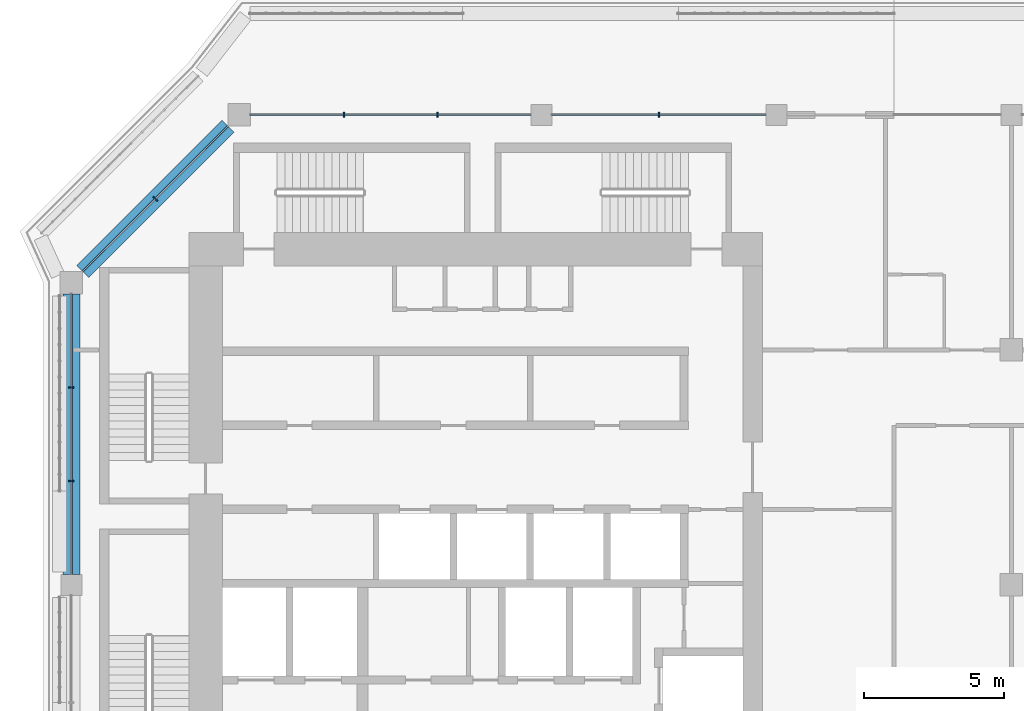
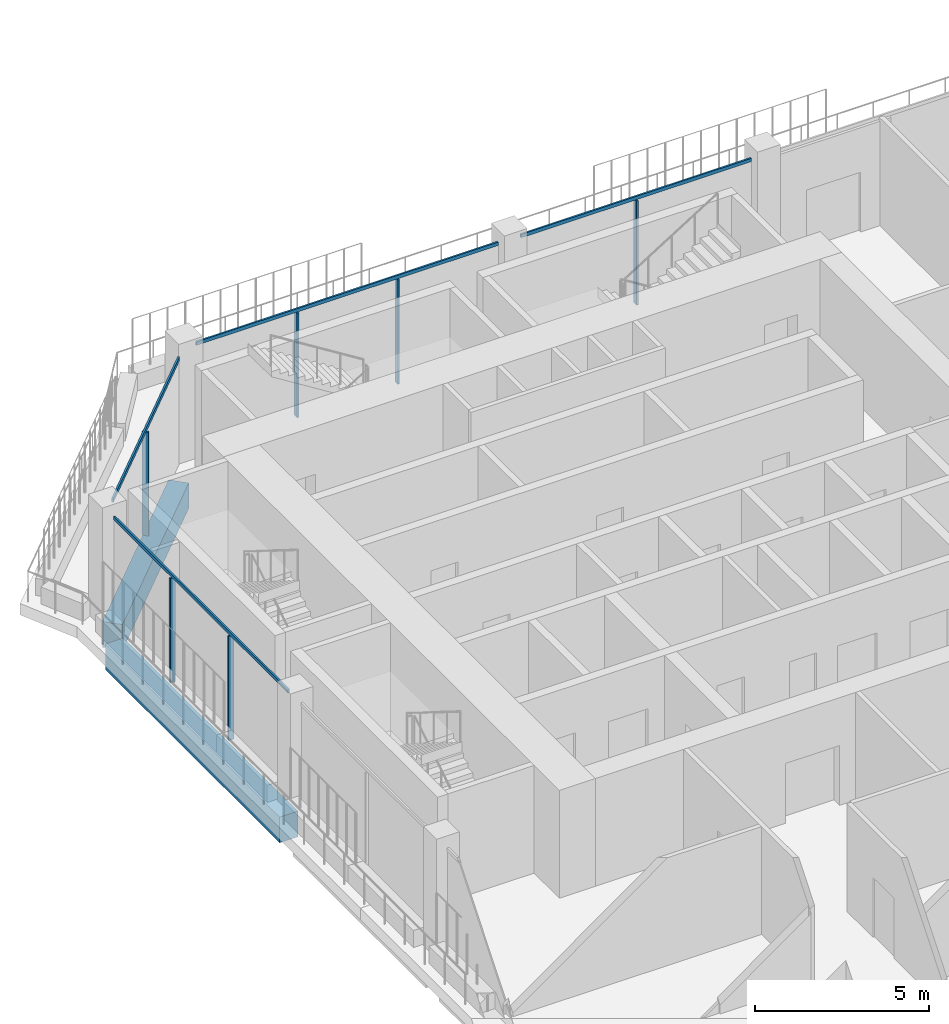
# One storey, part 5 of 20: 10 members, 2 beams, 3 elements without a shape of their own.
"""IFC4 building model written with IfcOpenShell, lengths in metres."""

from ifc_helpers import new_model, si_unit, direction, frame, origin, origin_2d, place, context, subcontext, project, spatial, rectangle, extrude, material, layer, layer_set, material_profile, profile_set, type_object, element, aggregate, save


model = new_model("IFC4")

# Units and contexts
model_context = context("Model", 3, precision=1e-05, world=origin(), true_north=direction((0.0, 1.0)))
body_context = subcontext(model_context, "Body", "Model", "MODEL_VIEW")
ifc_project = project(units=[si_unit("LENGTHUNIT", "METRE"), si_unit("AREAUNIT", "SQUARE_METRE"), si_unit("VOLUMEUNIT", "CUBIC_METRE"), si_unit("PLANEANGLEUNIT", "RADIAN"), si_unit("MASSUNIT", "GRAM", prefix="KILO")], contexts=[model_context])

# Site, building, storey
site_placement = place(None, origin())
site = spatial("IfcSite", under=ifc_project, at=site_placement, CompositionType="ELEMENT")
building_placement = place(site_placement, origin())
building = spatial("IfcBuilding", under=site, at=building_placement, Name="Kawkab Arch Medical Tower", CompositionType="ELEMENT")
storey_placement = place(building_placement, frame((0.0, 0.0, 328.0)))
storey = spatial("IfcBuildingStorey", under=building, at=storey_placement, Name="L76", CompositionType="ELEMENT", Elevation=328.0)

# Curtain wall, members
ifc_material_1 = material(Name="Bronze anodised aluminium curtain wall frame", Category="aluminium")
ifc_layer_1 = layer(ifc_material_1, 0.159912109375)
ifc_layer_set_1 = layer_set([ifc_layer_1], Name="Bronze anodised aluminium curtain wall frame")
curtain_wall_type_1 = type_object("IfcCurtainWallType", Name="CW1 ward curtain wall", PredefinedType="NOTDEFINED", material=ifc_layer_set_1)
placement = place(storey_placement, origin())
curtain_wall_1 = element("IfcCurtainWall", 1, at=placement, inside=storey, type_object=curtain_wall_type_1, Name="CW1 Ward curtain wall R02", PredefinedType="NOTDEFINED")
ifc_material_2 = material(Name="Bronze anodised aluminium curtain wall frame", Category="aluminium")
ifc_material_profile_1 = material_profile(ifc_material_2, rectangle(XDim=0.179931640625, YDim=0.06005859375, at=origin_2d()), Name="AL 60x180")
ifc_profile_set_1 = profile_set([ifc_material_profile_1], Name="Bronze anodised aluminium curtain wall frame")
member_type_1 = type_object("IfcMemberType", Name="CW1 mullion 60 x 180", PredefinedType="MULLION", material=ifc_profile_set_1)
member_1_placement = place(storey_placement, frame((0.0, -9.74169921875, 0.0), z_axis=(0.0, 0.0, 1.0), x_axis=(1.0, 0.0, 0.0)))
member_1 = element("IfcMember", 2, at=member_1_placement, type_object=member_type_1, Name="CW1 mullion 1.1", PredefinedType="MULLION", context=body_context, shape_type="SweptSolid", body=[
    extrude(rectangle(XDim=0.179931640625, YDim=0.06005859375, at=origin_2d()), origin(), (0.0, 0.0, 1.0), 3.659912109375),
])
member_2_placement = place(storey_placement, frame((0.0, -13.083251953125, 0.0), z_axis=(0.0, 0.0, 1.0), x_axis=(1.0, 0.0, 0.0)))
member_2 = element("IfcMember", 3, at=member_2_placement, type_object=member_type_1, Name="CW1 mullion 1.2", PredefinedType="MULLION", context=body_context, shape_type="SweptSolid", body=[
    extrude(rectangle(XDim=0.179931640625, YDim=0.06005859375, at=origin_2d()), origin(), (0.0, 0.0, 1.0), 3.659912109375),
])

curtain_wall_2 = element("IfcCurtainWall", 4, at=placement, inside=storey, type_object=curtain_wall_type_1, Name="CW1 Ward curtain wall R15", PredefinedType="NOTDEFINED")
member_3_placement = place(storey_placement, frame((21.0, 0.0, 0.0), z_axis=(0.0, 0.0, 1.0), x_axis=(0.0, -1.0, 0.0)))
member_3 = element("IfcMember", 5, at=member_3_placement, type_object=member_type_1, Name="CW1 mullion 4.1", PredefinedType="MULLION", context=body_context, shape_type="SweptSolid", body=[
    extrude(rectangle(XDim=0.179931640625, YDim=0.06005859375, at=origin_2d()), origin(), (0.0, 0.0, 1.0), 3.659912109375),
])
member_4_placement = place(storey_placement, frame((13.083251953125, 0.0, 0.0), z_axis=(0.0, 0.0, 1.0), x_axis=(0.0, -1.0, 0.0)))
member_4 = element("IfcMember", 6, at=member_4_placement, type_object=member_type_1, Name="CW1 mullion 5.1", PredefinedType="MULLION", context=body_context, shape_type="SweptSolid", body=[
    extrude(rectangle(XDim=0.179931640625, YDim=0.06005859375, at=origin_2d()), origin(), (0.0, 0.0, 1.0), 3.659912109375),
])
member_5_placement = place(storey_placement, frame((9.74169921875, 0.0, 0.0), z_axis=(0.0, 0.0, 1.0), x_axis=(0.0, -1.0, 0.0)))
member_5 = element("IfcMember", 7, at=member_5_placement, type_object=member_type_1, Name="CW1 mullion 5.2", PredefinedType="MULLION", context=body_context, shape_type="SweptSolid", body=[
    extrude(rectangle(XDim=0.179931640625, YDim=0.06005859375, at=origin_2d()), origin(), (0.0, 0.0, 1.0), 3.659912109375),
])

# Member
ifc_material_3 = material(Name="Bronze anodised aluminium curtain wall frame", Category="aluminium")
ifc_material_profile_2 = material_profile(ifc_material_3, rectangle(XDim=0.06005859375, YDim=0.1201171875, at=origin_2d()), Name="AL 60x120")
ifc_profile_set_2 = profile_set([ifc_material_profile_2], Name="Bronze anodised aluminium curtain wall frame")
member_type_2 = type_object("IfcMemberType", Name="CW1 transom 120 x 60", PredefinedType="USERDEFINED", material=ifc_profile_set_2)
member_6_placement = place(storey_placement, frame((0.0, -6.39990234375, 3.719970703125), z_axis=(0.0, -1.0, 0.0), x_axis=(1.0, 0.0, 0.0)))
member_6 = element("IfcMember", 8, at=member_6_placement, type_object=member_type_2, Name="CW1 transom 1", ObjectType="TRANSOM", PredefinedType="USERDEFINED", context=body_context, shape_type="SweptSolid", body=[
    extrude(rectangle(XDim=0.06005859375, YDim=0.1201171875, at=origin_2d()), origin(), (0.0, 0.0, 1.0), 10.025146484375),
])

aggregate(curtain_wall_1, [member_6, member_1, member_2])

member_7_placement = place(storey_placement, frame((24.824951171875, 0.0, 3.719970703125), z_axis=(-1.0, 0.0, 0.0), x_axis=(0.0, -1.0, 0.0)))
member_7 = element("IfcMember", 9, at=member_7_placement, type_object=member_type_2, Name="CW1 transom 4", ObjectType="TRANSOM", PredefinedType="USERDEFINED", context=body_context, shape_type="SweptSolid", body=[
    extrude(rectangle(XDim=0.06005859375, YDim=0.1201171875, at=origin_2d()), origin(), (0.0, 0.0, 1.0), 7.64990234375),
])

member_8_placement = place(storey_placement, frame((16.425048828125, 0.0, 3.719970703125), z_axis=(-1.0, 0.0, 0.0), x_axis=(0.0, -1.0, 0.0)))
member_8 = element("IfcMember", 10, at=member_8_placement, type_object=member_type_2, Name="CW1 transom 5", ObjectType="TRANSOM", PredefinedType="USERDEFINED", context=body_context, shape_type="SweptSolid", body=[
    extrude(rectangle(XDim=0.06005859375, YDim=0.1201171875, at=origin_2d()), origin(), (0.0, 0.0, 1.0), 10.025146484375),
])

aggregate(curtain_wall_2, [member_7, member_3, member_8, member_4, member_5])

# Curtain wall, members
ifc_material_4 = material(Name="Bronze anodised aluminium curtain wall frame", Category="aluminium")
ifc_layer_2 = layer(ifc_material_4, 0.159912109375)
ifc_layer_set_2 = layer_set([ifc_layer_2], Name="Bronze anodised aluminium curtain wall frame")
curtain_wall_type_2 = type_object("IfcCurtainWallType", Name="CW2 chamfer curtain wall", PredefinedType="NOTDEFINED", material=ifc_layer_set_2)
curtain_wall_3 = element("IfcCurtainWall", 11, at=placement, inside=storey, type_object=curtain_wall_type_2, Name="CW2 Chamfer curtain wall R01", PredefinedType="NOTDEFINED")
ifc_material_5 = material(Name="Bronze anodised aluminium curtain wall frame", Category="aluminium")
ifc_material_profile_3 = material_profile(ifc_material_5, rectangle(XDim=0.199951171875, YDim=0.06005859375, at=origin_2d()), Name="AL 60x200")
ifc_profile_set_3 = profile_set([ifc_material_profile_3], Name="Bronze anodised aluminium curtain wall frame")
member_type_3 = type_object("IfcMemberType", Name="CW2 mullion 60 x 200", PredefinedType="MULLION", material=ifc_profile_set_3)
member_9_placement = place(storey_placement, frame((3.0, -3.0, 0.0), z_axis=(0.0, 0.0, 1.0), x_axis=(0.707106781187, -0.707106781187, 0.0)))
member_9 = element("IfcMember", 12, at=member_9_placement, type_object=member_type_3, Name="CW2 mullion 1.1", PredefinedType="MULLION", context=body_context, shape_type="SweptSolid", body=[
    extrude(rectangle(XDim=0.199951171875, YDim=0.06005859375, at=origin_2d()), origin(), (0.0, 0.0, 1.0), 3.639892578125),
])
ifc_material_6 = material(Name="Bronze anodised aluminium curtain wall frame", Category="aluminium")
ifc_material_profile_4 = material_profile(ifc_material_6, rectangle(XDim=0.06005859375, YDim=0.139892578125, at=origin_2d()), Name="AL 60x140")
ifc_profile_set_4 = profile_set([ifc_material_profile_4], Name="Bronze anodised aluminium curtain wall frame")
member_type_4 = type_object("IfcMemberType", Name="CW2 transom 140 x 60", PredefinedType="USERDEFINED", material=ifc_profile_set_4)
member_10_placement = place(storey_placement, frame((5.60009765625, -0.39990234375, 3.7099609375), z_axis=(-0.707106781187, -0.707106781187, 0.0), x_axis=(0.707106781187, -0.707106781187, 0.0)))
member_10 = element("IfcMember", 13, at=member_10_placement, type_object=member_type_4, Name="CW2 transom 1", ObjectType="TRANSOM", PredefinedType="USERDEFINED", context=body_context, shape_type="SweptSolid", body=[
    extrude(rectangle(XDim=0.06005859375, YDim=0.139892578125, at=origin_2d()), origin(), (0.0, 0.0, 1.0), 7.354248046875),
])
aggregate(curtain_wall_3, [member_10, member_9])

# Beams
ifc_material_7 = material(Name="Concrete C40/50", Category="concrete")
ifc_material_profile_5 = material_profile(ifc_material_7, rectangle(XDim=0.60009765625, YDim=0.89990234375, at=origin_2d()), Name="RC 600x900")
ifc_profile_set_5 = profile_set([ifc_material_profile_5], Name="Concrete C40/50")
beam_type = type_object("IfcBeamType", Name="RC 600x900 beam C40/50", PredefinedType="BEAM", material=ifc_profile_set_5)
beam_1_placement = place(storey_placement, frame((0.39990234375, -5.60009765625, -1.050048828125), z_axis=(0.707106781187, 0.707106781187, 0.0), x_axis=(-0.707106781187, 0.707106781187, 0.0)))
element("IfcBeam", 14, at=beam_1_placement, inside=storey, type_object=beam_type, Name="Overhang edge beam L76-01", PredefinedType="BEAM", context=body_context, shape_type="SweptSolid", body=[
    extrude(rectangle(XDim=0.60009765625, YDim=0.89990234375, at=origin_2d()), origin(), (0.0, 0.0, 1.0), 7.354248046875),
])
beam_2_placement = place(storey_placement, frame((0.0, -16.425048828125, -1.050048828125), z_axis=(0.0, 1.0, 0.0), x_axis=(-1.0, 0.0, 0.0)))
element("IfcBeam", 15, at=beam_2_placement, inside=storey, type_object=beam_type, Name="Overhang edge beam L76-05", PredefinedType="BEAM", context=body_context, shape_type="SweptSolid", body=[
    extrude(rectangle(XDim=0.60009765625, YDim=0.89990234375, at=origin_2d()), origin(), (0.0, 0.0, 1.0), 10.025146484375),
])

save(model, "model.ifc")
